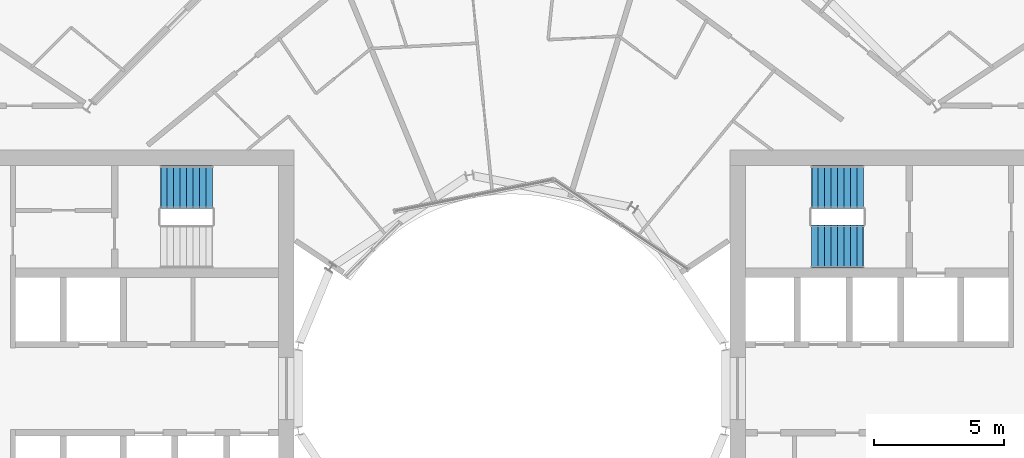
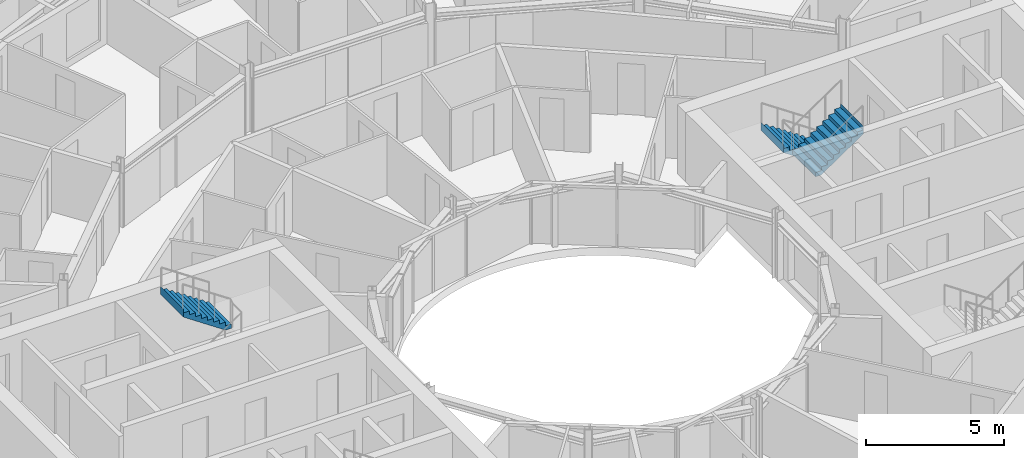
# One storey, part 25 of 27: 3 stair flights, 2 elements without a shape of their own.
"""IFC4 building model written with IfcOpenShell, lengths in metres."""

from ifc_helpers import new_model, si_unit, direction, frame, origin, place, context, subcontext, project, spatial, triangles, material, type_object, element, aggregate, save


model = new_model("IFC4")

# Units and contexts
model_context = context("Model", 3, precision=1e-05, world=origin(), true_north=direction((0.0, 1.0)))
body_context = subcontext(model_context, "Body", "Model", "MODEL_VIEW")
ifc_project = project(units=[si_unit("LENGTHUNIT", "METRE"), si_unit("AREAUNIT", "SQUARE_METRE"), si_unit("VOLUMEUNIT", "CUBIC_METRE"), si_unit("PLANEANGLEUNIT", "RADIAN"), si_unit("MASSUNIT", "GRAM", prefix="KILO")], contexts=[model_context])

# Site, building, storey
site_placement = place(None, origin())
site = spatial("IfcSite", under=ifc_project, at=site_placement, CompositionType="ELEMENT")
building_placement = place(site_placement, origin())
building = spatial("IfcBuilding", under=site, at=building_placement, Name="Maasbend Ring Residences", CompositionType="ELEMENT")
storey_placement = place(building_placement, frame((0.0, 0.0, 114.699951171875)))
storey = spatial("IfcBuildingStorey", under=building, at=storey_placement, Name="L32", CompositionType="ELEMENT", Elevation=114.699951171875)

# Stair, stair flights
ifc_material_1 = material(Name="Concrete C40/50", Category="concrete")
stair_type = type_object("IfcStairType", Name="CORE STAIR 18 RISERS", PredefinedType="HALF_TURN_STAIR", material=ifc_material_1)
stair_1_placement = place(storey_placement, origin())
stair_1 = element("IfcStair", 1, at=stair_1_placement, inside=storey, type_object=stair_type, Name="L32 Exit stair ST-E1", PredefinedType="HALF_TURN_STAIR")
ifc_material_2 = material(Name="Concrete C40/50", Category="concrete")
stair_flight_type = type_object("IfcStairFlightType", Name="CORE STAIR FLIGHT 1650", PredefinedType="STRAIGHT", material=ifc_material_2)
stair_flight_1_placement = place(storey_placement, frame((13.550048828125, 7.77490234375, 0.0), z_axis=(0.0, 0.0, 1.0), x_axis=(-1.0, 0.0, 0.0)))
stair_flight_1 = element("IfcStairFlight", 2, at=stair_flight_1_placement, type_object=stair_flight_type, Name="ST-E1 flight 1", NumberOfRisers=9, NumberOfTreads=8, PredefinedType="STRAIGHT", RiserHeight=0.169444444, TreadLength=0.25, context=body_context, shape_type="Tessellation", body=[
    triangles([(0.24072265625, 0.824951171875, -0.02001953125), (2.0029296875, 0.824951171875, 1.174560546875), (2.0029296875, 0.824951171875, 1.52490234375), (1.989990234375, 0.824951171875, 1.35546875), (1.75, 0.824951171875, 1.35546875), (1.75, 0.824951171875, 1.18603515625), (1.5, 0.824951171875, 1.18603515625), (1.5, 0.824951171875, 1.0166015625), (1.25, 0.824951171875, 1.0166015625), (1.25, 0.824951171875, 0.84716796875), (1.0, 0.824951171875, 0.84716796875), (1.0, 0.824951171875, 0.677734375), (0.75, 0.824951171875, 0.677734375), (0.75, 0.824951171875, 0.50830078125), (0.5, 0.824951171875, 0.50830078125), (0.5, 0.824951171875, 0.3388671875), (0.25, 0.824951171875, 0.3388671875), (0.25, 0.824951171875, 0.16943359375), (0.0, 0.824951171875, 0.16943359375), (0.0, 0.824951171875, 0.0), (-0.0029296875, 0.824951171875, 0.0), (-0.0029296875, 0.824951171875, -0.02001953125), (0.24072265625, 0.27490234375, -0.02001953125), (2.0029296875, 0.27490234375, 1.174560546875), (2.0029296875, 0.27490234375, 1.52490234375), (1.989990234375, 0.27490234375, 1.35546875), (1.75, 0.27490234375, 1.35546875), (1.75, 0.27490234375, 1.18603515625), (1.5, 0.27490234375, 1.18603515625), (1.5, 0.27490234375, 1.0166015625), (1.25, 0.27490234375, 1.0166015625), (1.25, 0.27490234375, 0.84716796875), (1.0, 0.27490234375, 0.84716796875), (1.0, 0.27490234375, 0.677734375), (0.75, 0.27490234375, 0.677734375), (0.75, 0.27490234375, 0.50830078125), (0.5, 0.27490234375, 0.50830078125), (0.5, 0.27490234375, 0.3388671875), (0.25, 0.27490234375, 0.3388671875), (0.25, 0.27490234375, 0.16943359375), (0.0, 0.27490234375, 0.16943359375), (0.0, 0.27490234375, 0.0), (-0.0029296875, 0.27490234375, 0.0), (-0.0029296875, 0.27490234375, -0.02001953125), (0.24072265625, -0.27490234375, -0.02001953125), (2.0029296875, -0.27490234375, 1.174560546875), (2.0029296875, -0.27490234375, 1.52490234375), (1.989990234375, -0.27490234375, 1.35546875), (1.75, -0.27490234375, 1.35546875), (1.75, -0.27490234375, 1.18603515625), (1.5, -0.27490234375, 1.18603515625), (1.5, -0.27490234375, 1.0166015625), (1.25, -0.27490234375, 1.0166015625), (1.25, -0.27490234375, 0.84716796875), (1.0, -0.27490234375, 0.84716796875), (1.0, -0.27490234375, 0.677734375), (0.75, -0.27490234375, 0.677734375), (0.75, -0.27490234375, 0.50830078125), (0.5, -0.27490234375, 0.50830078125), (0.5, -0.27490234375, 0.3388671875), (0.25, -0.27490234375, 0.3388671875), (0.25, -0.27490234375, 0.16943359375), (0.0, -0.27490234375, 0.16943359375), (0.0, -0.27490234375, 0.0), (-0.0029296875, -0.27490234375, 0.0), (-0.0029296875, -0.27490234375, -0.02001953125), (0.24072265625, -0.824951171875, -0.02001953125), (2.0029296875, -0.824951171875, 1.174560546875), (2.0029296875, -0.824951171875, 1.52490234375), (1.989990234375, -0.824951171875, 1.35546875), (1.75, -0.824951171875, 1.35546875), (1.75, -0.824951171875, 1.18603515625), (1.5, -0.824951171875, 1.18603515625), (1.5, -0.824951171875, 1.0166015625), (1.25, -0.824951171875, 1.0166015625), (1.25, -0.824951171875, 0.84716796875), (1.0, -0.824951171875, 0.84716796875), (1.0, -0.824951171875, 0.677734375), (0.75, -0.824951171875, 0.677734375), (0.75, -0.824951171875, 0.50830078125), (0.5, -0.824951171875, 0.50830078125), (0.5, -0.824951171875, 0.3388671875), (0.25, -0.824951171875, 0.3388671875), (0.25, -0.824951171875, 0.16943359375), (0.0, -0.824951171875, 0.16943359375), (0.0, -0.824951171875, 0.0), (-0.0029296875, -0.824951171875, 0.0), (-0.0029296875, -0.824951171875, -0.02001953125)], [[1, 2, 24], [1, 24, 23], [23, 24, 46], [23, 46, 45], [45, 46, 68], [45, 68, 67], [2, 3, 25], [2, 25, 24], [24, 25, 47], [24, 47, 46], [46, 47, 69], [46, 69, 68], [3, 4, 26], [3, 26, 25], [25, 26, 48], [25, 48, 47], [47, 48, 70], [47, 70, 69], [4, 5, 27], [4, 27, 26], [26, 27, 49], [26, 49, 48], [48, 49, 71], [48, 71, 70], [5, 6, 28], [5, 28, 27], [27, 28, 50], [27, 50, 49], [49, 50, 72], [49, 72, 71], [6, 7, 29], [6, 29, 28], [28, 29, 51], [28, 51, 50], [50, 51, 73], [50, 73, 72], [7, 8, 30], [7, 30, 29], [29, 30, 52], [29, 52, 51], [51, 52, 74], [51, 74, 73], [8, 9, 31], [8, 31, 30], [30, 31, 53], [30, 53, 52], [52, 53, 75], [52, 75, 74], [9, 10, 32], [9, 32, 31], [31, 32, 54], [31, 54, 53], [53, 54, 76], [53, 76, 75], [10, 11, 33], [10, 33, 32], [32, 33, 55], [32, 55, 54], [54, 55, 77], [54, 77, 76], [11, 12, 34], [11, 34, 33], [33, 34, 56], [33, 56, 55], [55, 56, 78], [55, 78, 77], [12, 13, 35], [12, 35, 34], [34, 35, 57], [34, 57, 56], [56, 57, 79], [56, 79, 78], [13, 14, 36], [13, 36, 35], [35, 36, 58], [35, 58, 57], [57, 58, 80], [57, 80, 79], [14, 15, 37], [14, 37, 36], [36, 37, 59], [36, 59, 58], [58, 59, 81], [58, 81, 80], [15, 16, 38], [15, 38, 37], [37, 38, 60], [37, 60, 59], [59, 60, 82], [59, 82, 81], [16, 17, 39], [16, 39, 38], [38, 39, 61], [38, 61, 60], [60, 61, 83], [60, 83, 82], [17, 18, 40], [17, 40, 39], [39, 40, 62], [39, 62, 61], [61, 62, 84], [61, 84, 83], [18, 19, 41], [18, 41, 40], [40, 41, 63], [40, 63, 62], [62, 63, 85], [62, 85, 84], [19, 20, 42], [19, 42, 41], [41, 42, 64], [41, 64, 63], [63, 64, 86], [63, 86, 85], [20, 21, 43], [20, 43, 42], [42, 43, 65], [42, 65, 64], [64, 65, 87], [64, 87, 86], [21, 22, 44], [21, 44, 43], [43, 44, 66], [43, 66, 65], [65, 66, 88], [65, 88, 87], [22, 1, 23], [22, 23, 44], [44, 23, 45], [44, 45, 66], [66, 45, 67], [66, 67, 88], [22, 2, 1], [2, 4, 3], [2, 5, 4], [2, 6, 5], [22, 6, 2], [6, 8, 7], [22, 8, 6], [8, 10, 9], [22, 10, 8], [10, 12, 11], [22, 12, 10], [12, 14, 13], [22, 14, 12], [14, 16, 15], [22, 16, 14], [16, 18, 17], [22, 18, 16], [18, 20, 19], [22, 20, 18], [20, 22, 21], [88, 67, 68], [68, 69, 70], [68, 70, 71], [68, 71, 72], [88, 68, 72], [72, 73, 74], [88, 72, 74], [74, 75, 76], [88, 74, 76], [76, 77, 78], [88, 76, 78], [78, 79, 80], [88, 78, 80], [80, 81, 82], [88, 80, 82], [82, 83, 84], [88, 82, 84], [84, 85, 86], [88, 84, 86], [86, 87, 88]], closed=True),
])
stair_flight_2_placement = place(storey_placement, frame((11.550048828125, 5.47509765625, 1.525146484375), z_axis=(0.0, 0.0, 1.0), x_axis=(1.0, 0.0, 0.0)))
stair_flight_2 = element("IfcStairFlight", 3, at=stair_flight_2_placement, type_object=stair_flight_type, Name="ST-E1 flight 2", NumberOfRisers=9, NumberOfTreads=8, PredefinedType="STRAIGHT", RiserHeight=0.169444444, TreadLength=0.25, context=body_context, shape_type="Tessellation", body=[
    triangles([(0.24072265625, 0.824951171875, -0.02001953125), (2.0029296875, 0.824951171875, 1.174560546875), (2.0029296875, 0.824951171875, 1.52490234375), (1.989990234375, 0.824951171875, 1.35546875), (1.75, 0.824951171875, 1.35546875), (1.75, 0.824951171875, 1.18603515625), (1.5, 0.824951171875, 1.18603515625), (1.5, 0.824951171875, 1.0166015625), (1.25, 0.824951171875, 1.0166015625), (1.25, 0.824951171875, 0.84716796875), (1.0, 0.824951171875, 0.84716796875), (1.0, 0.824951171875, 0.677734375), (0.75, 0.824951171875, 0.677734375), (0.75, 0.824951171875, 0.50830078125), (0.5, 0.824951171875, 0.50830078125), (0.5, 0.824951171875, 0.3388671875), (0.25, 0.824951171875, 0.3388671875), (0.25, 0.824951171875, 0.16943359375), (0.0, 0.824951171875, 0.16943359375), (0.0, 0.824951171875, 0.0), (-0.0029296875, 0.824951171875, 0.0), (-0.0029296875, 0.824951171875, -0.02001953125), (0.24072265625, 0.27490234375, -0.02001953125), (2.0029296875, 0.27490234375, 1.174560546875), (2.0029296875, 0.27490234375, 1.52490234375), (1.989990234375, 0.27490234375, 1.35546875), (1.75, 0.27490234375, 1.35546875), (1.75, 0.27490234375, 1.18603515625), (1.5, 0.27490234375, 1.18603515625), (1.5, 0.27490234375, 1.0166015625), (1.25, 0.27490234375, 1.0166015625), (1.25, 0.27490234375, 0.84716796875), (1.0, 0.27490234375, 0.84716796875), (1.0, 0.27490234375, 0.677734375), (0.75, 0.27490234375, 0.677734375), (0.75, 0.27490234375, 0.50830078125), (0.5, 0.27490234375, 0.50830078125), (0.5, 0.27490234375, 0.3388671875), (0.25, 0.27490234375, 0.3388671875), (0.25, 0.27490234375, 0.16943359375), (0.0, 0.27490234375, 0.16943359375), (0.0, 0.27490234375, 0.0), (-0.0029296875, 0.27490234375, 0.0), (-0.0029296875, 0.27490234375, -0.02001953125), (0.24072265625, -0.27490234375, -0.02001953125), (2.0029296875, -0.27490234375, 1.174560546875), (2.0029296875, -0.27490234375, 1.52490234375), (1.989990234375, -0.27490234375, 1.35546875), (1.75, -0.27490234375, 1.35546875), (1.75, -0.27490234375, 1.18603515625), (1.5, -0.27490234375, 1.18603515625), (1.5, -0.27490234375, 1.0166015625), (1.25, -0.27490234375, 1.0166015625), (1.25, -0.27490234375, 0.84716796875), (1.0, -0.27490234375, 0.84716796875), (1.0, -0.27490234375, 0.677734375), (0.75, -0.27490234375, 0.677734375), (0.75, -0.27490234375, 0.50830078125), (0.5, -0.27490234375, 0.50830078125), (0.5, -0.27490234375, 0.3388671875), (0.25, -0.27490234375, 0.3388671875), (0.25, -0.27490234375, 0.16943359375), (0.0, -0.27490234375, 0.16943359375), (0.0, -0.27490234375, 0.0), (-0.0029296875, -0.27490234375, 0.0), (-0.0029296875, -0.27490234375, -0.02001953125), (0.24072265625, -0.824951171875, -0.02001953125), (2.0029296875, -0.824951171875, 1.174560546875), (2.0029296875, -0.824951171875, 1.52490234375), (1.989990234375, -0.824951171875, 1.35546875), (1.75, -0.824951171875, 1.35546875), (1.75, -0.824951171875, 1.18603515625), (1.5, -0.824951171875, 1.18603515625), (1.5, -0.824951171875, 1.0166015625), (1.25, -0.824951171875, 1.0166015625), (1.25, -0.824951171875, 0.84716796875), (1.0, -0.824951171875, 0.84716796875), (1.0, -0.824951171875, 0.677734375), (0.75, -0.824951171875, 0.677734375), (0.75, -0.824951171875, 0.50830078125), (0.5, -0.824951171875, 0.50830078125), (0.5, -0.824951171875, 0.3388671875), (0.25, -0.824951171875, 0.3388671875), (0.25, -0.824951171875, 0.16943359375), (0.0, -0.824951171875, 0.16943359375), (0.0, -0.824951171875, 0.0), (-0.0029296875, -0.824951171875, 0.0), (-0.0029296875, -0.824951171875, -0.02001953125)], [[1, 2, 24], [1, 24, 23], [23, 24, 46], [23, 46, 45], [45, 46, 68], [45, 68, 67], [2, 3, 25], [2, 25, 24], [24, 25, 47], [24, 47, 46], [46, 47, 69], [46, 69, 68], [3, 4, 26], [3, 26, 25], [25, 26, 48], [25, 48, 47], [47, 48, 70], [47, 70, 69], [4, 5, 27], [4, 27, 26], [26, 27, 49], [26, 49, 48], [48, 49, 71], [48, 71, 70], [5, 6, 28], [5, 28, 27], [27, 28, 50], [27, 50, 49], [49, 50, 72], [49, 72, 71], [6, 7, 29], [6, 29, 28], [28, 29, 51], [28, 51, 50], [50, 51, 73], [50, 73, 72], [7, 8, 30], [7, 30, 29], [29, 30, 52], [29, 52, 51], [51, 52, 74], [51, 74, 73], [8, 9, 31], [8, 31, 30], [30, 31, 53], [30, 53, 52], [52, 53, 75], [52, 75, 74], [9, 10, 32], [9, 32, 31], [31, 32, 54], [31, 54, 53], [53, 54, 76], [53, 76, 75], [10, 11, 33], [10, 33, 32], [32, 33, 55], [32, 55, 54], [54, 55, 77], [54, 77, 76], [11, 12, 34], [11, 34, 33], [33, 34, 56], [33, 56, 55], [55, 56, 78], [55, 78, 77], [12, 13, 35], [12, 35, 34], [34, 35, 57], [34, 57, 56], [56, 57, 79], [56, 79, 78], [13, 14, 36], [13, 36, 35], [35, 36, 58], [35, 58, 57], [57, 58, 80], [57, 80, 79], [14, 15, 37], [14, 37, 36], [36, 37, 59], [36, 59, 58], [58, 59, 81], [58, 81, 80], [15, 16, 38], [15, 38, 37], [37, 38, 60], [37, 60, 59], [59, 60, 82], [59, 82, 81], [16, 17, 39], [16, 39, 38], [38, 39, 61], [38, 61, 60], [60, 61, 83], [60, 83, 82], [17, 18, 40], [17, 40, 39], [39, 40, 62], [39, 62, 61], [61, 62, 84], [61, 84, 83], [18, 19, 41], [18, 41, 40], [40, 41, 63], [40, 63, 62], [62, 63, 85], [62, 85, 84], [19, 20, 42], [19, 42, 41], [41, 42, 64], [41, 64, 63], [63, 64, 86], [63, 86, 85], [20, 21, 43], [20, 43, 42], [42, 43, 65], [42, 65, 64], [64, 65, 87], [64, 87, 86], [21, 22, 44], [21, 44, 43], [43, 44, 66], [43, 66, 65], [65, 66, 88], [65, 88, 87], [22, 1, 23], [22, 23, 44], [44, 23, 45], [44, 45, 66], [66, 45, 67], [66, 67, 88], [22, 2, 1], [2, 4, 3], [2, 5, 4], [2, 6, 5], [22, 6, 2], [6, 8, 7], [22, 8, 6], [8, 10, 9], [22, 10, 8], [10, 12, 11], [22, 12, 10], [12, 14, 13], [22, 14, 12], [14, 16, 15], [22, 16, 14], [16, 18, 17], [22, 18, 16], [18, 20, 19], [22, 20, 18], [20, 22, 21], [88, 67, 68], [68, 69, 70], [68, 70, 71], [68, 71, 72], [88, 68, 72], [72, 73, 74], [88, 72, 74], [74, 75, 76], [88, 74, 76], [76, 77, 78], [88, 76, 78], [78, 79, 80], [88, 78, 80], [80, 81, 82], [88, 80, 82], [82, 83, 84], [88, 82, 84], [84, 85, 86], [88, 84, 86], [86, 87, 88]], closed=True),
])
aggregate(stair_1, [stair_flight_1, stair_flight_2])

# Stair, stair flight
stair_2_placement = place(storey_placement, origin())
stair_2 = element("IfcStair", 4, at=stair_2_placement, inside=storey, type_object=stair_type, Name="L32 Exit stair ST-W2", PredefinedType="HALF_TURN_STAIR")
stair_flight_3_placement = place(storey_placement, frame((-11.550048828125, 7.77490234375, 1.525146484375), z_axis=(0.0, 0.0, 1.0), x_axis=(-1.0, 0.0, 0.0)))
stair_flight_3 = element("IfcStairFlight", 5, at=stair_flight_3_placement, type_object=stair_flight_type, Name="ST-W2 flight 2", NumberOfRisers=9, NumberOfTreads=8, PredefinedType="STRAIGHT", RiserHeight=0.169444444, TreadLength=0.25, context=body_context, shape_type="Tessellation", body=[
    triangles([(0.24072265625, 0.824951171875, -0.02001953125), (2.0029296875, 0.824951171875, 1.174560546875), (2.0029296875, 0.824951171875, 1.52490234375), (1.989990234375, 0.824951171875, 1.35546875), (1.75, 0.824951171875, 1.35546875), (1.75, 0.824951171875, 1.18603515625), (1.5, 0.824951171875, 1.18603515625), (1.5, 0.824951171875, 1.0166015625), (1.25, 0.824951171875, 1.0166015625), (1.25, 0.824951171875, 0.84716796875), (1.0, 0.824951171875, 0.84716796875), (1.0, 0.824951171875, 0.677734375), (0.75, 0.824951171875, 0.677734375), (0.75, 0.824951171875, 0.50830078125), (0.5, 0.824951171875, 0.50830078125), (0.5, 0.824951171875, 0.3388671875), (0.25, 0.824951171875, 0.3388671875), (0.25, 0.824951171875, 0.16943359375), (0.0, 0.824951171875, 0.16943359375), (0.0, 0.824951171875, 0.0), (-0.0029296875, 0.824951171875, 0.0), (-0.0029296875, 0.824951171875, -0.02001953125), (0.24072265625, 0.27490234375, -0.02001953125), (2.0029296875, 0.27490234375, 1.174560546875), (2.0029296875, 0.27490234375, 1.52490234375), (1.989990234375, 0.27490234375, 1.35546875), (1.75, 0.27490234375, 1.35546875), (1.75, 0.27490234375, 1.18603515625), (1.5, 0.27490234375, 1.18603515625), (1.5, 0.27490234375, 1.0166015625), (1.25, 0.27490234375, 1.0166015625), (1.25, 0.27490234375, 0.84716796875), (1.0, 0.27490234375, 0.84716796875), (1.0, 0.27490234375, 0.677734375), (0.75, 0.27490234375, 0.677734375), (0.75, 0.27490234375, 0.50830078125), (0.5, 0.27490234375, 0.50830078125), (0.5, 0.27490234375, 0.3388671875), (0.25, 0.27490234375, 0.3388671875), (0.25, 0.27490234375, 0.16943359375), (0.0, 0.27490234375, 0.16943359375), (0.0, 0.27490234375, 0.0), (-0.0029296875, 0.27490234375, 0.0), (-0.0029296875, 0.27490234375, -0.02001953125), (0.24072265625, -0.27490234375, -0.02001953125), (2.0029296875, -0.27490234375, 1.174560546875), (2.0029296875, -0.27490234375, 1.52490234375), (1.989990234375, -0.27490234375, 1.35546875), (1.75, -0.27490234375, 1.35546875), (1.75, -0.27490234375, 1.18603515625), (1.5, -0.27490234375, 1.18603515625), (1.5, -0.27490234375, 1.0166015625), (1.25, -0.27490234375, 1.0166015625), (1.25, -0.27490234375, 0.84716796875), (1.0, -0.27490234375, 0.84716796875), (1.0, -0.27490234375, 0.677734375), (0.75, -0.27490234375, 0.677734375), (0.75, -0.27490234375, 0.50830078125), (0.5, -0.27490234375, 0.50830078125), (0.5, -0.27490234375, 0.3388671875), (0.25, -0.27490234375, 0.3388671875), (0.25, -0.27490234375, 0.16943359375), (0.0, -0.27490234375, 0.16943359375), (0.0, -0.27490234375, 0.0), (-0.0029296875, -0.27490234375, 0.0), (-0.0029296875, -0.27490234375, -0.02001953125), (0.24072265625, -0.824951171875, -0.02001953125), (2.0029296875, -0.824951171875, 1.174560546875), (2.0029296875, -0.824951171875, 1.52490234375), (1.989990234375, -0.824951171875, 1.35546875), (1.75, -0.824951171875, 1.35546875), (1.75, -0.824951171875, 1.18603515625), (1.5, -0.824951171875, 1.18603515625), (1.5, -0.824951171875, 1.0166015625), (1.25, -0.824951171875, 1.0166015625), (1.25, -0.824951171875, 0.84716796875), (1.0, -0.824951171875, 0.84716796875), (1.0, -0.824951171875, 0.677734375), (0.75, -0.824951171875, 0.677734375), (0.75, -0.824951171875, 0.50830078125), (0.5, -0.824951171875, 0.50830078125), (0.5, -0.824951171875, 0.3388671875), (0.25, -0.824951171875, 0.3388671875), (0.25, -0.824951171875, 0.16943359375), (0.0, -0.824951171875, 0.16943359375), (0.0, -0.824951171875, 0.0), (-0.0029296875, -0.824951171875, 0.0), (-0.0029296875, -0.824951171875, -0.02001953125)], [[1, 2, 24], [1, 24, 23], [23, 24, 46], [23, 46, 45], [45, 46, 68], [45, 68, 67], [2, 3, 25], [2, 25, 24], [24, 25, 47], [24, 47, 46], [46, 47, 69], [46, 69, 68], [3, 4, 26], [3, 26, 25], [25, 26, 48], [25, 48, 47], [47, 48, 70], [47, 70, 69], [4, 5, 27], [4, 27, 26], [26, 27, 49], [26, 49, 48], [48, 49, 71], [48, 71, 70], [5, 6, 28], [5, 28, 27], [27, 28, 50], [27, 50, 49], [49, 50, 72], [49, 72, 71], [6, 7, 29], [6, 29, 28], [28, 29, 51], [28, 51, 50], [50, 51, 73], [50, 73, 72], [7, 8, 30], [7, 30, 29], [29, 30, 52], [29, 52, 51], [51, 52, 74], [51, 74, 73], [8, 9, 31], [8, 31, 30], [30, 31, 53], [30, 53, 52], [52, 53, 75], [52, 75, 74], [9, 10, 32], [9, 32, 31], [31, 32, 54], [31, 54, 53], [53, 54, 76], [53, 76, 75], [10, 11, 33], [10, 33, 32], [32, 33, 55], [32, 55, 54], [54, 55, 77], [54, 77, 76], [11, 12, 34], [11, 34, 33], [33, 34, 56], [33, 56, 55], [55, 56, 78], [55, 78, 77], [12, 13, 35], [12, 35, 34], [34, 35, 57], [34, 57, 56], [56, 57, 79], [56, 79, 78], [13, 14, 36], [13, 36, 35], [35, 36, 58], [35, 58, 57], [57, 58, 80], [57, 80, 79], [14, 15, 37], [14, 37, 36], [36, 37, 59], [36, 59, 58], [58, 59, 81], [58, 81, 80], [15, 16, 38], [15, 38, 37], [37, 38, 60], [37, 60, 59], [59, 60, 82], [59, 82, 81], [16, 17, 39], [16, 39, 38], [38, 39, 61], [38, 61, 60], [60, 61, 83], [60, 83, 82], [17, 18, 40], [17, 40, 39], [39, 40, 62], [39, 62, 61], [61, 62, 84], [61, 84, 83], [18, 19, 41], [18, 41, 40], [40, 41, 63], [40, 63, 62], [62, 63, 85], [62, 85, 84], [19, 20, 42], [19, 42, 41], [41, 42, 64], [41, 64, 63], [63, 64, 86], [63, 86, 85], [20, 21, 43], [20, 43, 42], [42, 43, 65], [42, 65, 64], [64, 65, 87], [64, 87, 86], [21, 22, 44], [21, 44, 43], [43, 44, 66], [43, 66, 65], [65, 66, 88], [65, 88, 87], [22, 1, 23], [22, 23, 44], [44, 23, 45], [44, 45, 66], [66, 45, 67], [66, 67, 88], [22, 2, 1], [2, 4, 3], [2, 5, 4], [2, 6, 5], [22, 6, 2], [6, 8, 7], [22, 8, 6], [8, 10, 9], [22, 10, 8], [10, 12, 11], [22, 12, 10], [12, 14, 13], [22, 14, 12], [14, 16, 15], [22, 16, 14], [16, 18, 17], [22, 18, 16], [18, 20, 19], [22, 20, 18], [20, 22, 21], [88, 67, 68], [68, 69, 70], [68, 70, 71], [68, 71, 72], [88, 68, 72], [72, 73, 74], [88, 72, 74], [74, 75, 76], [88, 74, 76], [76, 77, 78], [88, 76, 78], [78, 79, 80], [88, 78, 80], [80, 81, 82], [88, 80, 82], [82, 83, 84], [88, 82, 84], [84, 85, 86], [88, 84, 86], [86, 87, 88]], closed=True),
])
aggregate(stair_2, [stair_flight_3])

save(model, "model.ifc")
